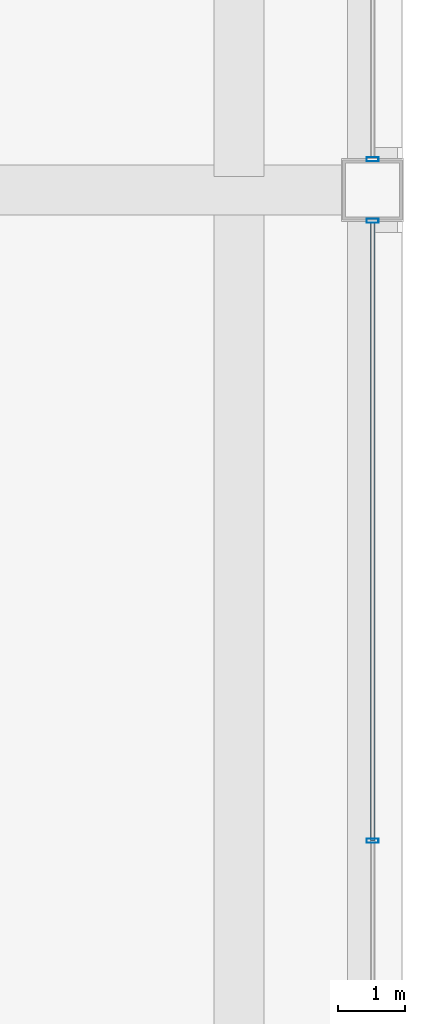
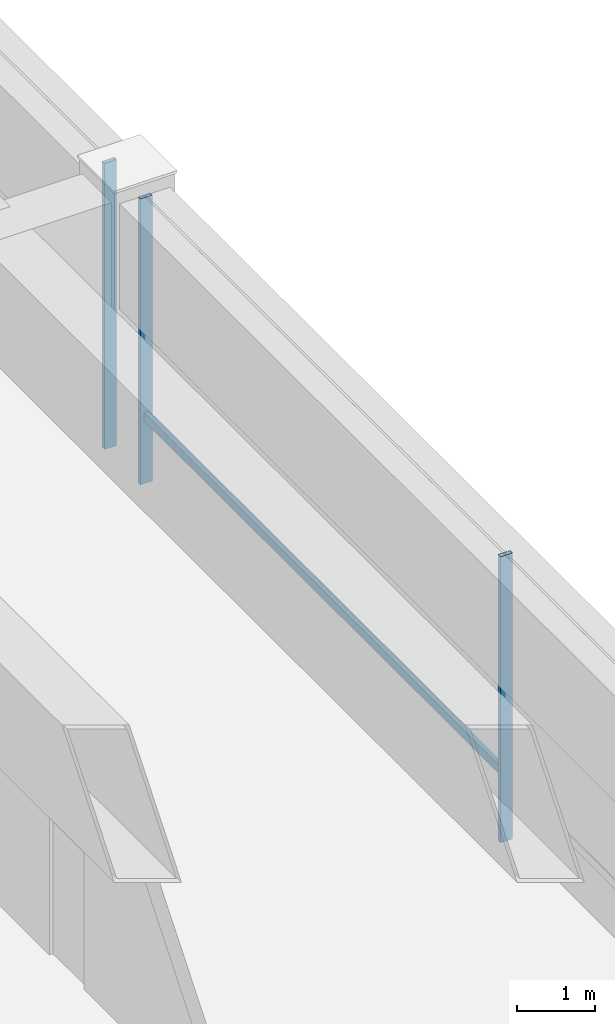
# One storey, part 16 of 29: 4 members, 2 elements without a shape of their own.
"""IFC4 building model written with IfcOpenShell, lengths in metres."""

from ifc_helpers import new_model, si_unit, direction, frame, origin, origin_2d, place, context, subcontext, project, spatial, hollow_rectangle, extrude, material, layer, layer_set, material_profile, profile_set, type_object, element, aggregate, save


model = new_model("IFC4")

# Units and contexts
model_context = context("Model", 3, precision=1e-05, world=origin(), true_north=direction((0.0, 1.0)))
body_context = subcontext(model_context, "Body", "Model", "MODEL_VIEW")
ifc_project = project(units=[si_unit("LENGTHUNIT", "METRE"), si_unit("AREAUNIT", "SQUARE_METRE"), si_unit("VOLUMEUNIT", "CUBIC_METRE"), si_unit("PLANEANGLEUNIT", "RADIAN"), si_unit("MASSUNIT", "GRAM", prefix="KILO")], contexts=[model_context])

# Site, building, storey
site_placement = place(None, origin())
site = spatial("IfcSite", under=ifc_project, at=site_placement, CompositionType="ELEMENT")
building_placement = place(site_placement, origin())
building = spatial("IfcBuilding", under=site, at=building_placement, Name="Brelmoor Portico Tower", CompositionType="ELEMENT")
storey_placement = place(building_placement, frame((0.0, 0.0, 82.800048828125)))
storey = spatial("IfcBuildingStorey", under=building, at=storey_placement, Name="L21", CompositionType="ELEMENT", Elevation=82.800048828125)

# Curtain wall, members
ifc_material = material(Name="Anodised Aluminium Alloy 6063-T6", Category="aluminium")
ifc_layer = layer(ifc_material, 0.179931640625)
ifc_layer_set = layer_set([ifc_layer], Name="Anodised Aluminium Alloy 6063-T6")
curtain_wall_type = type_object("IfcCurtainWallType", Name="CW-TOWER-Z1", PredefinedType="NOTDEFINED", material=ifc_layer_set)
curtain_wall_1_placement = place(storey_placement, origin())
curtain_wall_1 = element("IfcCurtainWall", 1, at=curtain_wall_1_placement, inside=storey, type_object=curtain_wall_type, Name="L21 Curtain Wall CW-L21-04-2", PredefinedType="NOTDEFINED")
ifc_material_profile_1 = material_profile(ifc_material, hollow_rectangle(XDim=0.06494140625, YDim=0.179931640625, WallThickness=0.00390625, at=origin_2d()), Name="ALU MULLION 65x180")
ifc_profile_set_1 = profile_set([ifc_material_profile_1], Name="Anodised Aluminium Alloy 6063-T6")
member_type_1 = type_object("IfcMemberType", Name="MB-CW-MULL-180", PredefinedType="MULLION", material=ifc_profile_set_1)
member_1_placement = place(storey_placement, frame((24.550048828125, 0.0, -0.199951171875), z_axis=(0.0, 0.0, 1.0), x_axis=(0.0, 1.0, 0.0)))
member_1 = element("IfcMember", 2, at=member_1_placement, type_object=member_type_1, Name="CW-L21-04-2 Mullion 01", PredefinedType="MULLION", context=body_context, shape_type="SweptSolid", body=[
    extrude(hollow_rectangle(XDim=0.06494140625, YDim=0.179931640625, WallThickness=0.00390625, at=origin_2d()), origin(), (0.0, 0.0, 1.0), 4.5),
])
member_2_placement = place(storey_placement, frame((24.550048828125, 9.2900390625, -0.199951171875), z_axis=(0.0, 0.0, 1.0), x_axis=(0.0, 1.0, 0.0)))
member_2 = element("IfcMember", 3, at=member_2_placement, type_object=member_type_1, Name="CW-L21-04-2 Mullion 02", PredefinedType="MULLION", context=body_context, shape_type="SweptSolid", body=[
    extrude(hollow_rectangle(XDim=0.06494140625, YDim=0.179931640625, WallThickness=0.00390625, at=origin_2d()), origin(), (0.0, 0.0, 1.0), 4.5),
])

# Curtain wall, member
curtain_wall_2_placement = place(storey_placement, origin())
curtain_wall_2 = element("IfcCurtainWall", 4, at=curtain_wall_2_placement, inside=storey, type_object=curtain_wall_type, Name="L21 Curtain Wall CW-L21-04-3", PredefinedType="NOTDEFINED")
member_3_placement = place(storey_placement, frame((24.550048828125, 10.2099609375, -0.199951171875), z_axis=(0.0, 0.0, 1.0), x_axis=(0.0, 1.0, 0.0)))
member_3 = element("IfcMember", 5, at=member_3_placement, type_object=member_type_1, Name="CW-L21-04-3 Mullion 00", PredefinedType="MULLION", context=body_context, shape_type="SweptSolid", body=[
    extrude(hollow_rectangle(XDim=0.06494140625, YDim=0.179931640625, WallThickness=0.00390625, at=origin_2d()), origin(), (0.0, 0.0, 1.0), 4.5),
])
aggregate(curtain_wall_2, [member_3])

# Member
ifc_material_profile_2 = material_profile(ifc_material, hollow_rectangle(XDim=0.06494140625, YDim=0.139892578125, WallThickness=0.00390625, at=origin_2d()), Name="ALU TRANSOM 65x140")
ifc_profile_set_2 = profile_set([ifc_material_profile_2], Name="Anodised Aluminium Alloy 6063-T6")
member_type_2 = type_object("IfcMemberType", Name="MB-CW-TRAN-140", PredefinedType="USERDEFINED", material=ifc_profile_set_2)
member_4_placement = place(storey_placement, frame((24.550048828125, 0.0, 0.849853515625), z_axis=(0.0, 1.0, 0.0), x_axis=(-1.0, 0.0, 0.0)))
member_4 = element("IfcMember", 6, at=member_4_placement, type_object=member_type_2, Name="CW-L21-04-2 Transom 1-01", ObjectType="TRANSOM", PredefinedType="USERDEFINED", context=body_context, shape_type="SweptSolid", body=[
    extrude(hollow_rectangle(XDim=0.06494140625, YDim=0.139892578125, WallThickness=0.00390625, at=origin_2d()), origin(), (0.0, 0.0, 1.0), 9.2900390625),
])

aggregate(curtain_wall_1, [member_1, member_2, member_4])

save(model, "model.ifc")
